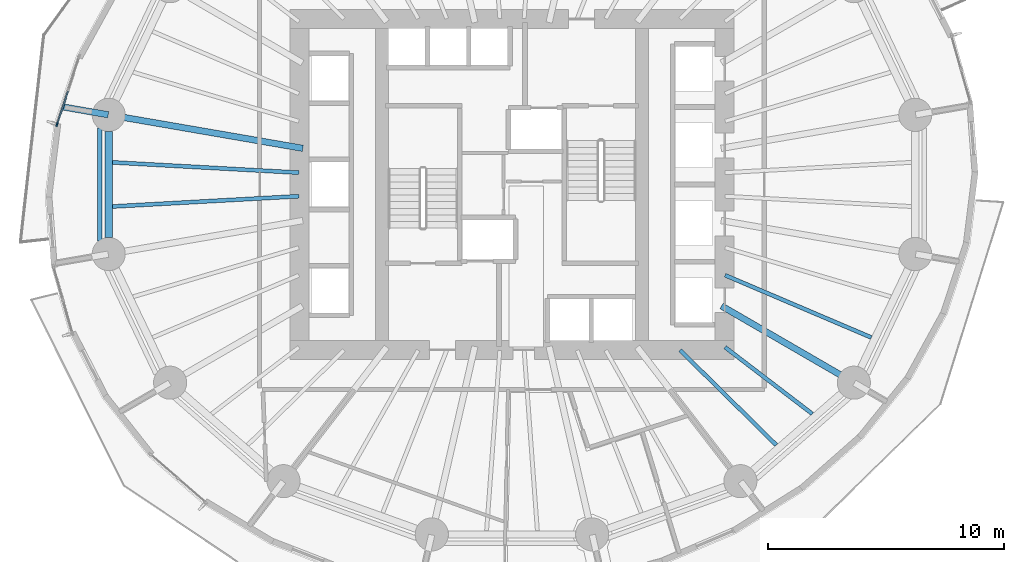
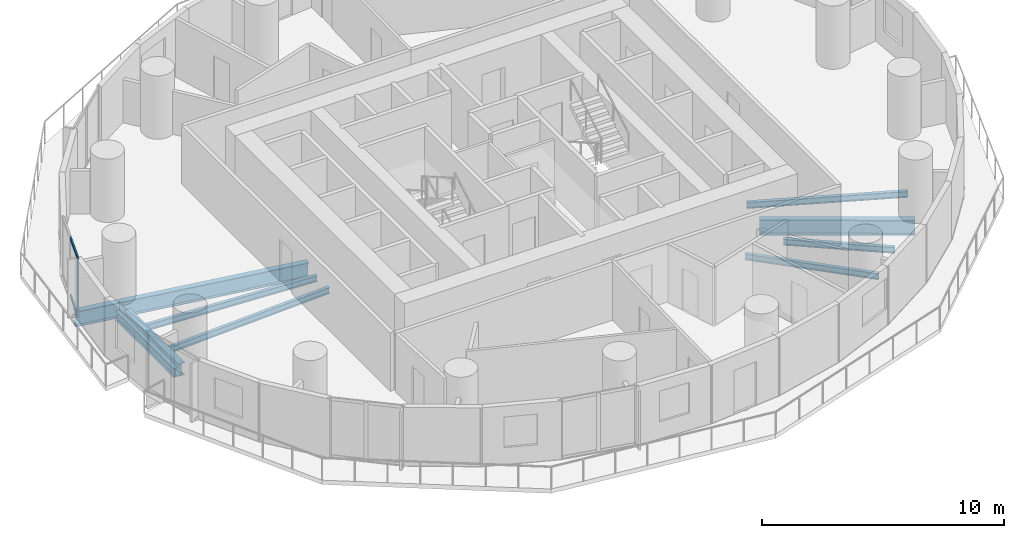
# One storey, part 3 of 14: 10 beams, 3 members, 1 element without a shape of its own.
"""IFC4 building model written with IfcOpenShell, lengths in metres."""

from ifc_helpers import new_model, si_unit, direction, frame, origin, origin_2d, place, context, subcontext, project, spatial, rectangle, i_section, extrude, material, material_profile, profile_set, type_object, element, aggregate, save


model = new_model("IFC4")

# Units and contexts
model_context = context("Model", 3, precision=1e-05, world=origin(), true_north=direction((0.0, 1.0)))
body_context = subcontext(model_context, "Body", "Model", "MODEL_VIEW")
ifc_project = project(units=[si_unit("LENGTHUNIT", "METRE"), si_unit("AREAUNIT", "SQUARE_METRE"), si_unit("VOLUMEUNIT", "CUBIC_METRE"), si_unit("PLANEANGLEUNIT", "RADIAN"), si_unit("MASSUNIT", "GRAM", prefix="KILO")], contexts=[model_context])

# Site, building, storey
site_placement = place(None, origin())
site = spatial("IfcSite", under=ifc_project, at=site_placement, CompositionType="ELEMENT")
building_placement = place(site_placement, origin())
building = spatial("IfcBuilding", under=site, at=building_placement, Name="Veldorim Arch Residences", CompositionType="ELEMENT")
storey_placement = place(building_placement, frame((0.0, 0.0, 50.39990234375)))
storey = spatial("IfcBuildingStorey", under=building, at=storey_placement, Name="L14", CompositionType="ELEMENT", Elevation=50.39990234375)

# Beams
ifc_material_1 = material(Name="Steel S355", Category="steel")
ifc_material_profile_1 = material_profile(ifc_material_1, i_section(OverallWidth=0.30712890625, OverallDepth=0.6201171875, WebThickness=0.01416015625, FlangeThickness=0.023681640625, at=origin_2d()), Name="UB610x305x179")
ifc_profile_set_1 = profile_set([ifc_material_profile_1], Name="Steel S355")
beam_type_1 = type_object("IfcBeamType", Name="Structural Steel Beam UB610x305x179", PredefinedType="BEAM", material=ifc_profile_set_1)
beam_1_placement = place(storey_placement, frame((14.934326171875, 26.245849609375, -0.550048828125), z_axis=(0.0, -1.0, 0.0), x_axis=(1.0, 0.0, 0.0)))
element("IfcBeam", 1, at=beam_1_placement, inside=storey, type_object=beam_type_1, Name="L14 perimeter ring tie beam 08", PredefinedType="BEAM", context=body_context, shape_type="SweptSolid", body=[
    extrude(i_section(OverallWidth=0.30712890625, OverallDepth=0.6201171875, WebThickness=0.01416015625, FlangeThickness=0.023681640625, at=origin_2d()), origin(), (0.0, 0.0, 1.0), 4.49169921875),
])
ifc_material_2 = material(Name="Steel S355", Category="steel")
ifc_material_profile_2 = material_profile(ifc_material_2, i_section(OverallWidth=0.26806640625, OverallDepth=0.769775390625, WebThickness=0.015625, FlangeThickness=0.025390625, at=origin_2d()), Name="UB762x267x197")
ifc_profile_set_2 = profile_set([ifc_material_profile_2], Name="Steel S355")
beam_type_2 = type_object("IfcBeamType", Name="Structural Steel GIRDER UB762x267x197", PredefinedType="USERDEFINED", material=ifc_profile_set_2)
beam_2_placement = place(storey_placement, frame((23.147705078125, 25.528076171875, -0.624755859375), z_axis=(-0.985427548249, 0.170095699979, 0.0), x_axis=(-0.170095699979, -0.985427548249, 0.0)))
element("IfcBeam", 2, at=beam_2_placement, inside=storey, type_object=beam_type_2, Name="L14 radial floor girder 08", ObjectType="GIRDER", PredefinedType="USERDEFINED", context=body_context, shape_type="SweptSolid", body=[
    extrude(i_section(OverallWidth=0.26806640625, OverallDepth=0.769775390625, WebThickness=0.015625, FlangeThickness=0.025390625, at=origin_2d()), origin(), (0.0, 0.0, 1.0), 8.314697265625),
])
beam_3_placement = place(storey_placement, frame((14.91455078125, 26.94921875, -0.624755859375), z_axis=(-0.985423095697, 0.170121493252, 0.0), x_axis=(-0.170121493252, -0.985423095697, 0.0)))
element("IfcBeam", 3, at=beam_3_placement, inside=storey, type_object=beam_type_2, Name="L14 radial edge cantilever girder 08", ObjectType="GIRDER", PredefinedType="USERDEFINED", context=body_context, shape_type="SweptSolid", body=[
    extrude(i_section(OverallWidth=0.26806640625, OverallDepth=0.769775390625, WebThickness=0.015625, FlangeThickness=0.025390625, at=origin_2d()), origin(), (0.0, 0.0, 1.0), 1.943115234375),
])
beam_4_placement = place(storey_placement, frame((40.8701171875, 18.8564453125, -0.624755859375), z_axis=(0.865088348752, -0.501619525989, 0.0), x_axis=(0.501619525989, 0.865088348752, 0.0)))
element("IfcBeam", 4, at=beam_4_placement, inside=storey, type_object=beam_type_2, Name="L14 radial floor girder 15", ObjectType="GIRDER", PredefinedType="USERDEFINED", context=body_context, shape_type="SweptSolid", body=[
    extrude(i_section(OverallWidth=0.26806640625, OverallDepth=0.769775390625, WebThickness=0.015625, FlangeThickness=0.025390625, at=origin_2d()), origin(), (0.0, 0.0, 1.0), 6.4501953125),
])
ifc_material_3 = material(Name="Steel S355", Category="steel")
ifc_material_profile_3 = material_profile(ifc_material_3, i_section(OverallWidth=0.165771484375, OverallDepth=0.306640625, WebThickness=0.006591796875, FlangeThickness=0.01171875, at=origin_2d()), Name="UB305x165x46")
ifc_profile_set_3 = profile_set([ifc_material_profile_3], Name="Steel S355")
beam_type_3 = type_object("IfcBeamType", Name="Structural Steel Joist UB305x165x46", PredefinedType="JOIST", material=ifc_profile_set_3)
for number, where, z_axis, x_axis, name in (
    (5, (22.97998046875, 24.498291015625, -0.393310546875), (-0.998478371109, 0.055144740699, 0.0), (-0.055144740699, -0.998478371109, 0.0), "L14 secondary radial floor joist 08-1"),
    (6, (22.97998046875, 23.501708984375, -0.393310546875), (-0.998478371109, -0.055144740699, 0.0), (0.055144740699, -0.998478371109, 0.0), "L14 secondary radial floor joist 08-2"),
):
    element("IfcBeam", number, at=place(storey_placement, frame(where, z_axis=z_axis, x_axis=x_axis)), inside=storey, type_object=beam_type_3, Name=name, PredefinedType="JOIST", context=body_context, shape_type="SweptSolid", body=[
        extrude(i_section(OverallWidth=0.165771484375, OverallDepth=0.306640625, WebThickness=0.006591796875, FlangeThickness=0.01171875, at=origin_2d()), origin(), (0.0, 0.0, 1.0), 7.898193359375),
    ])
beam_5_placement = place(storey_placement, frame((39.114990234375, 16.986083984375, -0.393310546875), z_axis=(0.712129078446, -0.702048556463, 0.0), x_axis=(0.702048556463, 0.712129078446, 0.0)))
element("IfcBeam", 7, at=beam_5_placement, inside=storey, type_object=beam_type_3, Name="L14 secondary radial floor joist 14-1", PredefinedType="JOIST", context=body_context, shape_type="SweptSolid", body=[
    extrude(i_section(OverallWidth=0.165771484375, OverallDepth=0.306640625, WebThickness=0.006591796875, FlangeThickness=0.01171875, at=origin_2d()), origin(), (0.0, 0.0, 1.0), 5.715576171875),
])
beam_6_placement = place(storey_placement, frame((41.015869140625, 17.1123046875, -0.393310546875), z_axis=(0.794666431166, -0.607046343517, 0.0), x_axis=(0.607046343517, 0.794666431166, 0.0)))
element("IfcBeam", 8, at=beam_6_placement, inside=storey, type_object=beam_type_3, Name="L14 secondary radial floor joist 14-2", PredefinedType="JOIST", context=body_context, shape_type="SweptSolid", body=[
    extrude(i_section(OverallWidth=0.165771484375, OverallDepth=0.306640625, WebThickness=0.006591796875, FlangeThickness=0.01171875, at=origin_2d()), origin(), (0.0, 0.0, 1.0), 4.646728515625),
])
beam_7_placement = place(storey_placement, frame((41.018310546875, 20.15869140625, -0.393310546875), z_axis=(0.920032948668, -0.391841005213, 0.0), x_axis=(0.391841005213, 0.920032948668, 0.0)))
element("IfcBeam", 9, at=beam_7_placement, inside=storey, type_object=beam_type_3, Name="L14 secondary radial floor joist 15-1", PredefinedType="JOIST", context=body_context, shape_type="SweptSolid", body=[
    extrude(i_section(OverallWidth=0.165771484375, OverallDepth=0.306640625, WebThickness=0.006591796875, FlangeThickness=0.01171875, at=origin_2d()), origin(), (0.0, 0.0, 1.0), 6.723388671875),
])
ifc_material_4 = material(Name="Steel S355", Category="steel")
ifc_material_profile_4 = material_profile(ifc_material_4, i_section(OverallWidth=0.19140625, OverallDepth=0.4599609375, WebThickness=0.010009765625, FlangeThickness=0.01611328125, at=origin_2d()), Name="UB457x191x82")
ifc_profile_set_4 = profile_set([ifc_material_profile_4], Name="Steel S355")
beam_type_4 = type_object("IfcBeamType", Name="Structural Steel Spandrel UB457x191x82", PredefinedType="SPANDREL", material=ifc_profile_set_4)
beam_8_placement = place(storey_placement, frame((14.559814453125, 26.39453125, -0.489990234375), z_axis=(0.0, -1.0, 0.0), x_axis=(1.0, 0.0, 0.0)))
element("IfcBeam", 10, at=beam_8_placement, inside=storey, type_object=beam_type_4, Name="L14 perimeter chord spandrel beam 08", PredefinedType="SPANDREL", context=body_context, shape_type="SweptSolid", body=[
    extrude(i_section(OverallWidth=0.19140625, OverallDepth=0.4599609375, WebThickness=0.010009765625, FlangeThickness=0.01611328125, at=origin_2d()), origin(), (0.0, 0.0, 1.0), 4.7890625),
])

# Curtain wall, members
ifc_material_5 = material(Name="Aluminium", Category="aluminium")
curtain_wall_type = type_object("IfcCurtainWallType", Name="Zone 1 Acoustic Low-E Unitised Curtain Wall", PredefinedType="NOTDEFINED", material=ifc_material_5)
curtain_wall_placement = place(storey_placement, origin())
curtain_wall = element("IfcCurtainWall", 11, at=curtain_wall_placement, inside=storey, type_object=curtain_wall_type, Name="L14 unitised curtain wall bay 16", PredefinedType="NOTDEFINED")
ifc_material_6 = material(Name="Aluminium", Category="aluminium")
ifc_material_profile_5 = material_profile(ifc_material_6, rectangle(XDim=0.06494140625, YDim=0.175048828125, at=origin_2d()), Name="ALU_MUL_65x175")
ifc_profile_set_5 = profile_set([ifc_material_profile_5], Name="Aluminium")
member_type_1 = type_object("IfcMemberType", Name="Zone 1 Acoustic Low-E Unitised Curtain Wall Mullion 65x175", PredefinedType="MULLION", material=ifc_profile_set_5)
member_1_placement = place(storey_placement, frame((12.747314453125, 26.538330078125, 0.0), z_axis=(0.0, 0.0, 1.0), x_axis=(-0.950263369365, 0.31144747365, 0.0)))
member_1 = element("IfcMember", 12, at=member_1_placement, type_object=member_type_1, Name="CW-Z1 mullion 1", PredefinedType="MULLION", context=body_context, shape_type="SweptSolid", body=[
    extrude(rectangle(XDim=0.06494140625, YDim=0.175048828125, at=origin_2d()), origin(), (0.0, 0.0, 1.0), 2.960205078125),
])
ifc_material_7 = material(Name="Aluminium", Category="aluminium")
ifc_material_profile_6 = material_profile(ifc_material_7, rectangle(XDim=0.06494140625, YDim=0.14990234375, at=origin_2d()), Name="ALU_TRN_65x150")
ifc_profile_set_6 = profile_set([ifc_material_profile_6], Name="Aluminium")
member_type_2 = type_object("IfcMemberType", Name="Zone 1 Acoustic Low-E Unitised Curtain Wall Transom 65x150", PredefinedType="USERDEFINED", material=ifc_profile_set_6)
member_2_placement = place(storey_placement, frame((12.75732421875, 26.5693359375, 0.03271484375), z_axis=(0.311508136429, 0.950243485081, 0.0), x_axis=(-0.950243485081, 0.311508136429, 0.0)))
member_2 = element("IfcMember", 13, at=member_2_placement, type_object=member_type_2, Name="CW-Z1 transom 1.1", ObjectType="TRANSOM", PredefinedType="USERDEFINED", context=body_context, shape_type="SweptSolid", body=[
    extrude(rectangle(XDim=0.06494140625, YDim=0.14990234375, at=origin_2d()), origin(), (0.0, 0.0, 1.0), 1.4443359375),
])
member_3_placement = place(storey_placement, frame((12.75732421875, 26.5693359375, 2.927490234375), z_axis=(0.311508136429, 0.950243485081, 0.0), x_axis=(-0.950243485081, 0.311508136429, 0.0)))
member_3 = element("IfcMember", 14, at=member_3_placement, type_object=member_type_2, Name="CW-Z1 transom 1.2", ObjectType="TRANSOM", PredefinedType="USERDEFINED", context=body_context, shape_type="SweptSolid", body=[
    extrude(rectangle(XDim=0.06494140625, YDim=0.14990234375, at=origin_2d()), origin(), (0.0, 0.0, 1.0), 1.4443359375),
])
aggregate(curtain_wall, [member_1, member_2, member_3])

save(model, "model.ifc")
